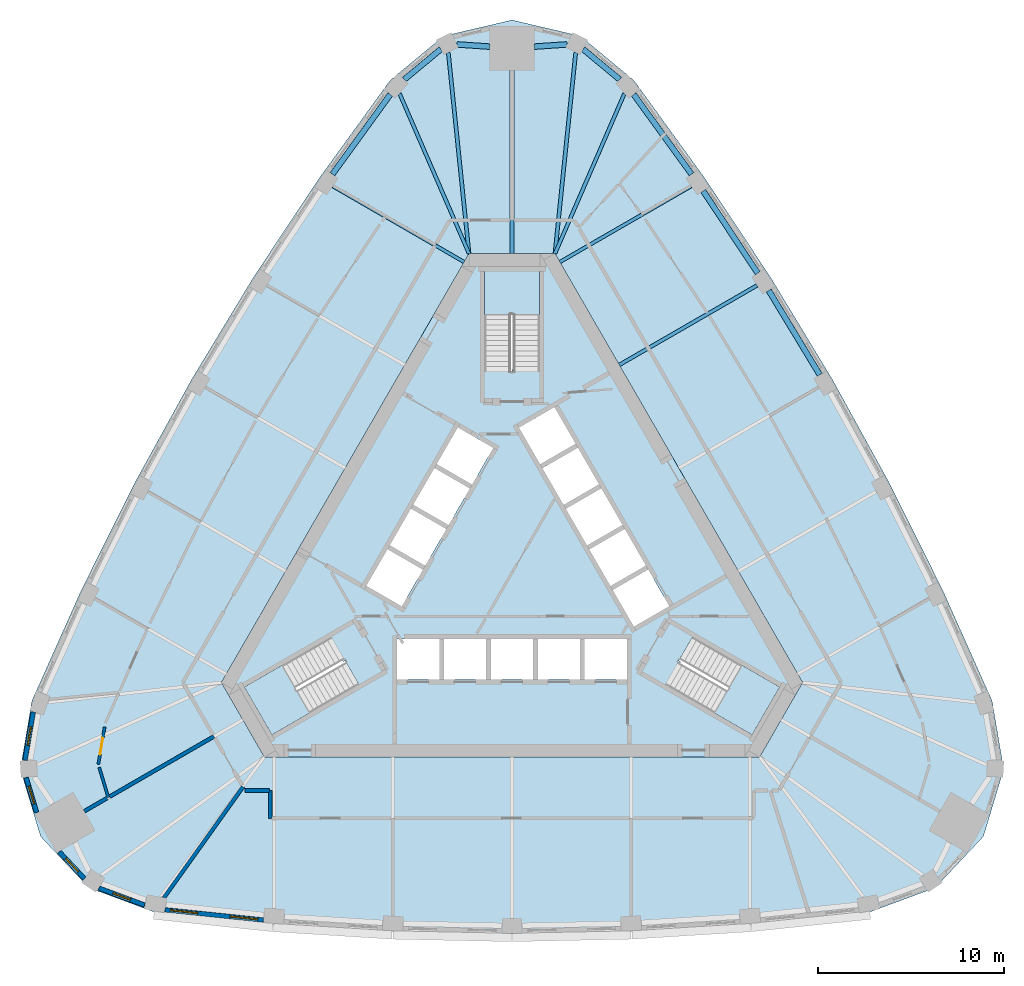
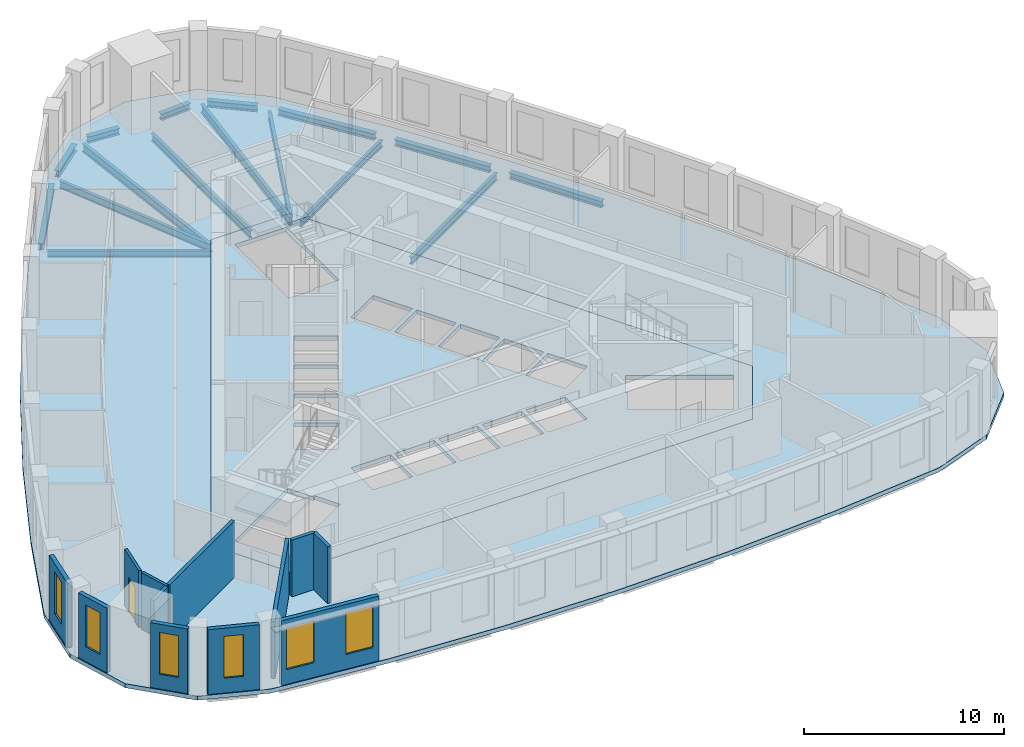
# One storey, part 2 of 11: 16 beams, 12 walls, 6 windows, 5 slabs, 1 door, 7 openings, 3 elements without a shape of their own.
"""IFC4 building model written with IfcOpenShell, lengths in metres."""

from ifc_helpers import new_model, si_unit, direction, frame, frame_2d, origin, origin_2d, place, context, subcontext, project, spatial, polyline, rectangle, i_section, outline, extrude, material, layer, layer_set, material_profile, profile_set, type_object, element, fill, aggregate, save


model = new_model("IFC4")

# Units and contexts
model_context = context("Model", 3, precision=1e-05, world=origin(), true_north=direction((0.0, 1.0)))
body_context = subcontext(model_context, "Body", "Model", "MODEL_VIEW")
ifc_project = project(units=[si_unit("LENGTHUNIT", "METRE"), si_unit("AREAUNIT", "SQUARE_METRE"), si_unit("VOLUMEUNIT", "CUBIC_METRE"), si_unit("PLANEANGLEUNIT", "RADIAN"), si_unit("MASSUNIT", "GRAM", prefix="KILO")], contexts=[model_context])

# Site, building, storey
site_placement = place(None, origin())
site = spatial("IfcSite", under=ifc_project, at=site_placement, CompositionType="ELEMENT")
building_placement = place(site_placement, origin())
building = spatial("IfcBuilding", under=site, at=building_placement, Name="Mestral Congress Tower", CompositionType="ELEMENT")
storey_placement = place(building_placement, frame((0.0, 0.0, 210.0)))
storey = spatial("IfcBuildingStorey", under=building, at=storey_placement, Name="L49", CompositionType="ELEMENT", Elevation=210.0)

# Beams
ifc_material_1 = material(Name="Steel S355", Category="steel")
ifc_material_profile_1 = material_profile(ifc_material_1, i_section(OverallWidth=0.179931640625, OverallDepth=0.39990234375, WebThickness=0.008544921875, FlangeThickness=0.013427734375, FilletRadius=0.02099609375, at=origin_2d()), Name="IPE 400")
ifc_profile_set_1 = profile_set([ifc_material_profile_1], Name="Steel S355")
beam_type_1 = type_object("IfcBeamType", Name="Floor beam IPE 400 S355", PredefinedType="BEAM", material=ifc_profile_set_1)
for number, where, z_axis, x_axis, name in (
    (1, (9.627197265625, 20.321533203125, -0.449951171875), (-0.86601443812, -0.500018992608, 0.0), (0.500018992608, -0.86601443812, 0.0), "BM-L49-RB4-E05"),
    (2, (-9.627197265625, 20.321533203125, -0.449951171875), (0.86601443812, -0.500018992608, 0.0), (0.500018992608, 0.86601443812, 0.0), "BM-L49-RB4-W01"),
):
    element("IfcBeam", number, at=place(storey_placement, frame(where, z_axis=z_axis, x_axis=x_axis)), inside=storey, type_object=beam_type_1, Name=name, PredefinedType="BEAM", context=body_context, shape_type="SweptSolid", body=[
        extrude(i_section(OverallWidth=0.179931640625, OverallDepth=0.39990234375, WebThickness=0.008544921875, FlangeThickness=0.013427734375, FilletRadius=0.02099609375, at=origin_2d()), origin(), (0.0, 0.0, 1.0), 8.148193359375),
    ])
ifc_material_profile_2 = material_profile(ifc_material_1, i_section(OverallWidth=0.18994140625, OverallDepth=0.449951171875, WebThickness=0.009521484375, FlangeThickness=0.0146484375, FilletRadius=0.02099609375, at=origin_2d()), Name="IPE 450")
ifc_profile_set_2 = profile_set([ifc_material_profile_2], Name="Steel S355")
beam_type_2 = type_object("IfcBeamType", Name="Floor beam IPE 450 S355", PredefinedType="BEAM", material=ifc_profile_set_2)
beam_1_placement = place(storey_placement, frame((13.16650390625, 14.98974609375, -0.47509765625), z_axis=(-0.866028621479, -0.499994426748, 0.0), x_axis=(0.499994426748, -0.866028621479, 0.0)))
element("IfcBeam", 3, at=beam_1_placement, inside=storey, type_object=beam_type_2, Name="BM-L49-RB4-E04", PredefinedType="BEAM", context=body_context, shape_type="SweptSolid", body=[
    extrude(i_section(OverallWidth=0.18994140625, OverallDepth=0.449951171875, WebThickness=0.009521484375, FlangeThickness=0.0146484375, FilletRadius=0.02099609375, at=origin_2d()), origin(), (0.0, 0.0, 1.0), 8.54736328125),
])
beam_2_placement = place(storey_placement, frame((6.0419921875, 25.296875, -0.47509765625), z_axis=(-0.398265997009, -0.91726996878, 0.0), x_axis=(0.91726996878, -0.398265997009, 0.0)))
element("IfcBeam", 4, at=beam_2_placement, inside=storey, type_object=beam_type_2, Name="BM-L49-RB4-E06", PredefinedType="BEAM", context=body_context, shape_type="SweptSolid", body=[
    extrude(i_section(OverallWidth=0.18994140625, OverallDepth=0.449951171875, WebThickness=0.009521484375, FlangeThickness=0.0146484375, FilletRadius=0.02099609375, at=origin_2d()), origin(), (0.0, 0.0, 1.0), 9.372314453125),
])
beam_3_placement = place(storey_placement, frame((0.0, 26.54443359375, -0.47509765625), z_axis=(0.0, -1.0, 0.0), x_axis=(1.0, 0.0, 0.0)))
element("IfcBeam", 5, at=beam_3_placement, inside=storey, type_object=beam_type_2, Name="BM-L49-RB4-N", PredefinedType="BEAM", context=body_context, shape_type="SweptSolid", body=[
    extrude(i_section(OverallWidth=0.18994140625, OverallDepth=0.449951171875, WebThickness=0.009521484375, FlangeThickness=0.0146484375, FilletRadius=0.02099609375, at=origin_2d()), origin(), (0.0, 0.0, 1.0), 9.844482421875),
])
beam_4_placement = place(storey_placement, frame((-6.0419921875, 25.296875, -0.47509765625), z_axis=(0.398265997009, -0.91726996878, 0.0), x_axis=(0.91726996878, 0.398265997009, 0.0)))
element("IfcBeam", 6, at=beam_4_placement, inside=storey, type_object=beam_type_2, Name="BM-L49-RB4-W00", PredefinedType="BEAM", context=body_context, shape_type="SweptSolid", body=[
    extrude(i_section(OverallWidth=0.18994140625, OverallDepth=0.449951171875, WebThickness=0.009521484375, FlangeThickness=0.0146484375, FilletRadius=0.02099609375, at=origin_2d()), origin(), (0.0, 0.0, 1.0), 9.372314453125),
])
ifc_material_profile_3 = material_profile(ifc_material_1, i_section(OverallWidth=0.199951171875, OverallDepth=0.5, WebThickness=0.01025390625, FlangeThickness=0.01611328125, FilletRadius=0.02099609375, at=origin_2d()), Name="IPE 500")
ifc_profile_set_3 = profile_set([ifc_material_profile_3], Name="Steel S355")
beam_type_3 = type_object("IfcBeamType", Name="Floor beam IPE 500 S355", PredefinedType="BEAM", material=ifc_profile_set_3)
for number, where, z_axis, x_axis, name in (
    (7, (3.4228515625, 27.5009765625, -0.5), (-0.102550876252, -0.994727760636, 0.0), (0.994727760636, -0.102550876252, 0.0), "BM-L49-RB4-N1"),
    (8, (-3.4228515625, 27.5009765625, -0.5), (0.102550876252, -0.994727760636, 0.0), (0.994727760636, 0.102550876252, 0.0), "BM-L49-RB4-N3"),
):
    element("IfcBeam", number, at=place(storey_placement, frame(where, z_axis=z_axis, x_axis=x_axis)), inside=storey, type_object=beam_type_3, Name=name, PredefinedType="BEAM", context=body_context, shape_type="SweptSolid", body=[
        extrude(i_section(OverallWidth=0.199951171875, OverallDepth=0.5, WebThickness=0.01025390625, FlangeThickness=0.01611328125, FilletRadius=0.02099609375, at=origin_2d()), origin(), (0.0, 0.0, 1.0), 10.858154296875),
    ])
ifc_material_profile_4 = material_profile(ifc_material_1, i_section(OverallWidth=0.300048828125, OverallDepth=0.389892578125, WebThickness=0.010986328125, FlangeThickness=0.01904296875, FilletRadius=0.027099609375, at=origin_2d()), Name="HEA 400")
ifc_profile_set_4 = profile_set([ifc_material_profile_4], Name="Steel S355")
beam_type_4 = type_object("IfcBeamType", Name="Spandrel beam HEA 400 S355", PredefinedType="BEAM", material=ifc_profile_set_4)
for number, where, z_axis, x_axis, name in (
    (9, (16.54248046875, 10.185791015625, -0.445068359375), (-0.517865676042, 0.855461946306, 0.0), (-0.855461946306, -0.517865676042, 0.0), "SP-L49-SB4-E03"),
    (10, (13.209228515625, 15.648193359375, -0.445068359375), (-0.552934106774, 0.833224983762, 0.0), (-0.833224983762, -0.552934106774, 0.0), "SP-L49-SB4-E04"),
):
    element("IfcBeam", number, at=place(storey_placement, frame(where, z_axis=z_axis, x_axis=x_axis)), inside=storey, type_object=beam_type_4, Name=name, PredefinedType="BEAM", context=body_context, shape_type="SweptSolid", body=[
        extrude(i_section(OverallWidth=0.300048828125, OverallDepth=0.389892578125, WebThickness=0.010986328125, FlangeThickness=0.01904296875, FilletRadius=0.027099609375, at=origin_2d()), origin(), (0.0, 0.0, 1.0), 5.29931640625),
    ])
beam_5_placement = place(storey_placement, frame((9.652099609375, 20.967529296875, -0.445068359375), z_axis=(-0.587017415163, 0.809574304369, 0.0), x_axis=(-0.809574304369, -0.587017415163, 0.0)))
element("IfcBeam", 11, at=beam_5_placement, inside=storey, type_object=beam_type_4, Name="SP-L49-SB4-E05", PredefinedType="BEAM", context=body_context, shape_type="SweptSolid", body=[
    extrude(i_section(OverallWidth=0.300048828125, OverallDepth=0.389892578125, WebThickness=0.010986328125, FlangeThickness=0.01904296875, FilletRadius=0.027099609375, at=origin_2d()), origin(), (0.0, 0.0, 1.0), 5.29736328125),
])
beam_6_placement = place(storey_placement, frame((5.789306640625, 26.058837890625, -0.445068359375), z_axis=(-0.769970431757, 0.638079567311, 0.0), x_axis=(-0.638079567311, -0.769970431757, 0.0)))
element("IfcBeam", 12, at=beam_6_placement, inside=storey, type_object=beam_type_4, Name="SP-L49-SB4-E06", PredefinedType="BEAM", context=body_context, shape_type="SweptSolid", body=[
    extrude(i_section(OverallWidth=0.300048828125, OverallDepth=0.389892578125, WebThickness=0.010986328125, FlangeThickness=0.01904296875, FilletRadius=0.027099609375, at=origin_2d()), origin(), (0.0, 0.0, 1.0), 2.547119140625),
])
for number, where, z_axis, x_axis, name in (
    (13, (2.9521484375, 27.94384765625, -0.445068359375), (-0.997724466462, -0.067423208337, 0.0), (0.067423208337, -0.997724466462, 0.0), "SP-L49-SB4-N1"),
    (14, (-1.199951171875, 27.825439453125, -0.445068359375), (-0.997724466462, 0.067423208337, 0.0), (-0.067423208337, -0.997724466462, 0.0), "SP-L49-SB4-N"),
):
    element("IfcBeam", number, at=place(storey_placement, frame(where, z_axis=z_axis, x_axis=x_axis)), inside=storey, type_object=beam_type_4, Name=name, PredefinedType="BEAM", context=body_context, shape_type="SweptSolid", body=[
        extrude(i_section(OverallWidth=0.300048828125, OverallDepth=0.389892578125, WebThickness=0.010986328125, FlangeThickness=0.01904296875, FilletRadius=0.027099609375, at=origin_2d()), origin(), (0.0, 0.0, 1.0), 1.756103515625),
    ])
beam_7_placement = place(storey_placement, frame((-3.828125, 27.68408203125, -0.445068359375), z_axis=(-0.769970431757, -0.638079567311, 0.0), x_axis=(0.638079567311, -0.769970431757, 0.0)))
element("IfcBeam", 15, at=beam_7_placement, inside=storey, type_object=beam_type_4, Name="SP-L49-SB4-N3", PredefinedType="BEAM", context=body_context, shape_type="SweptSolid", body=[
    extrude(i_section(OverallWidth=0.300048828125, OverallDepth=0.389892578125, WebThickness=0.010986328125, FlangeThickness=0.01904296875, FilletRadius=0.027099609375, at=origin_2d()), origin(), (0.0, 0.0, 1.0), 2.547119140625),
])
beam_8_placement = place(storey_placement, frame((-6.54248046875, 25.256103515625, -0.445068359375), z_axis=(-0.587017415163, -0.809574304369, 0.0), x_axis=(0.809574304369, -0.587017415163, 0.0)))
element("IfcBeam", 16, at=beam_8_placement, inside=storey, type_object=beam_type_4, Name="SP-L49-SB4-W00", PredefinedType="BEAM", context=body_context, shape_type="SweptSolid", body=[
    extrude(i_section(OverallWidth=0.300048828125, OverallDepth=0.389892578125, WebThickness=0.010986328125, FlangeThickness=0.01904296875, FilletRadius=0.027099609375, at=origin_2d()), origin(), (0.0, 0.0, 1.0), 5.29736328125),
])

# Slabs
ifc_material_2 = material(Name="Concrete C35/45", Category="concrete")
ifc_layer_1 = layer(ifc_material_2, 0.25)
ifc_layer_set_1 = layer_set([ifc_layer_1], Name="Concrete C35/45")
slab_type_1 = type_object("IfcSlabType", Name="Composite floor slab 250", PredefinedType="FLOOR", material=ifc_layer_set_1)
placement_1 = place(storey_placement, frame((0.0, 0.0, -0.25)))
element("IfcSlab", 17, at=placement_1, inside=storey, type_object=slab_type_1, Name="SL-L49", PredefinedType="FLOOR", context=body_context, shape_type="SweptSolid", body=[
    extrude(outline(polyline([(-19.253662109375, -18.678466796875), (-22.75, -17.381591796875), (-25.3369140625, -14.62841796875), (-26.427978515625, -11.01123046875), (-25.802978515625, -7.334716796875), (-23.16748046875, -1.4306640625), (-20.310302734375, 4.316650390625), (-17.21728515625, 9.9404296875), (-13.8935546875, 15.430908203125), (-10.3447265625, 20.77880859375), (-6.54931640625, 26.013427734375), (-3.677978515625, 28.392822265625), (0.0, 29.256591796875), (3.677978515625, 28.392822265625), (6.54931640625, 26.013427734375), (10.3447265625, 20.77880859375), (13.8935546875, 15.430908203125), (17.21728515625, 9.9404296875), (20.310302734375, 4.316650390625), (23.16748046875, -1.4306640625), (25.802978515625, -7.334716796875), (26.427978515625, -11.01123046875), (25.3369140625, -14.62841796875), (22.75, -17.381591796875), (19.253662109375, -18.678466796875), (12.822509765625, -19.34814453125), (6.416748046875, -19.74755859375), (0.0, -19.880615234375), (-6.416748046875, -19.74755859375), (-12.822509765625, -19.34814453125), (-19.253662109375, -18.678466796875)]), holes=[polyline([(-2.309326171875, 16.699951171875), (-15.6171875, -6.35009765625), (-13.307861328125, -10.35009765625), (13.307861328125, -10.35009765625), (15.6171875, -6.35009765625), (2.309326171875, 16.699951171875), (-2.309326171875, 16.699951171875)])]), origin(), (0.0, 0.0, 1.0), 0.25),
])
ifc_material_3 = material(Name="Concrete C60/75", Category="concrete")
ifc_layer_2 = layer(ifc_material_3, 0.25)
ifc_layer_set_2 = layer_set([ifc_layer_2], Name="Concrete C60/75")
slab_type_2 = type_object("IfcSlabType", Name="Core floor slab RC 250", PredefinedType="FLOOR", material=ifc_layer_set_2)
element("IfcSlab", 18, at=placement_1, inside=storey, type_object=slab_type_2, Name="L49 core floor", PredefinedType="FLOOR", context=body_context, shape_type="SweptSolid", body=[
    extrude(outline(polyline([(13.307861328125, -10.35009765625), (-13.307861328125, -10.35009765625), (-15.6171875, -6.35009765625), (-2.309326171875, 16.699951171875), (2.309326171875, 16.699951171875), (15.6171875, -6.35009765625), (13.307861328125, -10.35009765625)]), holes=[polyline([(-9.8046875, -3.95751953125), (-14.37744140625, -6.59765625), (-12.90234375, -9.15234375), (-8.234619140625, -6.45751953125), (-8.971923828125, -5.179931640625), (-9.0673828125, -5.235107421875), (-9.8046875, -3.95751953125)]), polyline([(-3.905029296875, -4.0), (-6.175048828125, -4.0), (-6.175048828125, -6.199951171875), (-3.905029296875, -6.199951171875), (-3.905029296875, -4.0)]), polyline([(-1.385009765625, -4.0), (-3.655029296875, -4.0), (-3.655029296875, -6.199951171875), (-1.385009765625, -6.199951171875), (-1.385009765625, -4.0)]), polyline([(1.135009765625, -4.0), (-1.135009765625, -4.0), (-1.135009765625, -6.199951171875), (1.135009765625, -6.199951171875), (1.135009765625, -4.0)]), polyline([(-5.921630859375, -2.256591796875), (-4.78662109375, -0.29052734375), (-6.69189453125, 0.809326171875), (-7.826904296875, -1.156494140625), (-5.921630859375, -2.256591796875)]), polyline([(-4.66162109375, -0.07421875), (-3.526611328125, 1.8916015625), (-5.431884765625, 2.99169921875), (-6.56689453125, 1.02587890625), (-4.66162109375, -0.07421875)]), polyline([(-3.401611328125, 2.1083984375), (-2.2666015625, 4.07421875), (-4.171875, 5.174072265625), (-5.306884765625, 3.208251953125), (-3.401611328125, 2.1083984375)]), polyline([(-2.1416015625, 4.29052734375), (-1.006591796875, 6.256591796875), (-2.911865234375, 7.3564453125), (-4.046875, 5.390625), (-2.1416015625, 4.29052734375)]), polyline([(1.47509765625, 10.469970703125), (1.47509765625, 15.75), (-1.47509765625, 15.75), (-1.47509765625, 10.360107421875), (0.0, 10.360107421875), (0.0, 10.469970703125), (1.47509765625, 10.469970703125)]), polyline([(8.329833984375, -6.512451171875), (12.90234375, -9.15234375), (14.37744140625, -6.59765625), (9.70947265625, -3.902587890625), (8.971923828125, -5.179931640625), (9.0673828125, -5.235107421875), (8.329833984375, -6.512451171875)]), polyline([(3.655029296875, -4.0), (1.385009765625, -4.0), (1.385009765625, -6.199951171875), (3.655029296875, -6.199951171875), (3.655029296875, -4.0)]), polyline([(6.175048828125, -4.0), (3.905029296875, -4.0), (3.905029296875, -6.199951171875), (6.175048828125, -6.199951171875), (6.175048828125, -4.0)]), polyline([(5.41650390625, -1.3818359375), (6.551513671875, -3.34765625), (8.456787109375, -2.247802734375), (7.322021484375, -0.28173828125), (5.41650390625, -1.3818359375)]), polyline([(4.156494140625, 0.800537109375), (5.29150390625, -1.165283203125), (7.197021484375, -0.065185546875), (6.06201171875, 1.900634765625), (4.156494140625, 0.800537109375)]), polyline([(2.896484375, 2.98291015625), (4.031494140625, 1.01708984375), (5.93701171875, 2.1171875), (4.802001953125, 4.0830078125), (2.896484375, 2.98291015625)]), polyline([(3.5419921875, 6.265380859375), (1.63671875, 5.165283203125), (2.771484375, 3.199462890625), (4.677001953125, 4.29931640625), (3.5419921875, 6.265380859375)]), polyline([(2.281982421875, 8.44775390625), (0.376708984375, 7.34765625), (1.51171875, 5.3818359375), (3.4169921875, 6.481689453125), (2.281982421875, 8.44775390625)])]), origin(), (0.0, 0.0, 1.0), 0.25),
])

# Stair, slab
stair_type = type_object("IfcStairType", Name="Exit stair 1400", PredefinedType="HALF_TURN_STAIR", material=ifc_material_3)
placement_2 = place(storey_placement, origin())
stair_1 = element("IfcStair", 19, at=placement_2, inside=storey, type_object=stair_type, Name="L49 ST1", PredefinedType="HALF_TURN_STAIR")
ifc_layer_3 = layer(ifc_material_3, 0.199951171875)
ifc_layer_set_3 = layer_set([ifc_layer_3], Name="Concrete C60/75")
slab_type_3 = type_object("IfcSlabType", Name="Exit stair landing 200", PredefinedType="LANDING", material=ifc_layer_set_3)
placement_3 = place(storey_placement, frame((0.0, 0.0, 1.89990234375)))
slab_3 = element("IfcSlab", 20, at=placement_3, type_object=slab_type_3, Name="ST1 landing 1", PredefinedType="LANDING", context=body_context, shape_type="SweptSolid", body=[
    extrude(outline(polyline([(10.879638671875, -7.99609375), (12.364501953125, -5.424072265625), (14.39111328125, -6.593994140625), (12.906005859375, -9.166015625), (10.879638671875, -7.99609375)])), origin(), (0.0, 0.0, 1.0), 0.2001953125),
])
aggregate(stair_1, [slab_3])

stair_2 = element("IfcStair", 21, at=placement_2, inside=storey, type_object=stair_type, Name="L49 ST2", PredefinedType="HALF_TURN_STAIR")
slab_4 = element("IfcSlab", 22, at=placement_3, type_object=slab_type_3, Name="ST2 landing 1", PredefinedType="LANDING", context=body_context, shape_type="SweptSolid", body=[
    extrude(outline(polyline([(1.485107421875, 13.419921875), (-1.485107421875, 13.419921875), (-1.485107421875, 15.760009765625), (1.485107421875, 15.760009765625), (1.485107421875, 13.419921875)])), origin(), (0.0, 0.0, 1.0), 0.2001953125),
])
aggregate(stair_2, [slab_4])

stair_3 = element("IfcStair", 23, at=placement_2, inside=storey, type_object=stair_type, Name="L49 ST3", PredefinedType="HALF_TURN_STAIR")
slab_5 = element("IfcSlab", 24, at=placement_3, type_object=slab_type_3, Name="ST3 landing 1", PredefinedType="LANDING", context=body_context, shape_type="SweptSolid", body=[
    extrude(outline(polyline([(-12.364501953125, -5.424072265625), (-10.879638671875, -7.99609375), (-12.906005859375, -9.166015625), (-14.39111328125, -6.593994140625), (-12.364501953125, -5.424072265625)])), origin(), (0.0, 0.0, 1.0), 0.2001953125),
])
aggregate(stair_3, [slab_5])

# Wall, openings, windows
ifc_material_4 = material(Name="Precast concrete C40/50 with limestone facing", Category="masonry")
ifc_layer_4 = layer(ifc_material_4, 0.239990234375)
ifc_layer_set_4 = layer_set([ifc_layer_4], Name="Precast concrete C40/50 with limestone facing")
wall_type_1 = type_object("IfcWallType", Name="Facade stone wall 240", PredefinedType="SOLIDWALL", material=ifc_layer_set_4)
wall_1_placement = place(storey_placement, frame((-18.644287109375, -18.571044921875, 0.0), z_axis=(0.0, 0.0, 1.0), x_axis=(0.994621961215, -0.103571976272, 0.0)))
wall_1 = element("IfcWall", 25, at=wall_1_placement, inside=storey, type_object=wall_type_1, Name="Facade wall F0-00", PredefinedType="SOLIDWALL", context=body_context, shape_type="SweptSolid", body=[
    extrude(rectangle(XDim=5.310791015625, YDim=0.239990234375, at=frame_2d((2.6552734375, 0.0))), origin(), (0.0, 0.0, 1.0), 3.949951171875),
])
opening_1_placement = place(wall_1_placement, frame((0.271484375, 0.0, 0.89990234375)))
opening_1 = element("IfcOpeningElement", 26, at=opening_1_placement, cuts=wall_1, Name="Opening W4", PredefinedType="OPENING", context=body_context, shape_type="SweptSolid", body=[
    extrude(rectangle(XDim=1.5, YDim=2.550048828125, at=frame_2d((0.75, 1.27490234375))), frame((0.0, 0.1298828125, 0.0), z_axis=(0.0, -1.0, 0.0), x_axis=(1.0, 0.0, 0.0)), (0.0, 0.0, 1.0), 0.260009765625),
])
opening_2_placement = place(wall_1_placement, frame((3.50439453125, 0.0, 0.89990234375)))
opening_2 = element("IfcOpeningElement", 27, at=opening_2_placement, cuts=wall_1, Name="Opening W4", PredefinedType="OPENING", context=body_context, shape_type="SweptSolid", body=[
    extrude(rectangle(XDim=1.5, YDim=2.550048828125, at=frame_2d((0.75, 1.27490234375))), frame((0.0, 0.1298828125, 0.0), z_axis=(0.0, -1.0, 0.0), x_axis=(1.0, 0.0, 0.0)), (0.0, 0.0, 1.0), 0.260009765625),
])
ifc_material_5 = material(Name="Clear low-emissivity double glazing", Category="glass")
window_type_1 = type_object("IfcWindowType", Name="Facade punched window 1500 x 2550 sill 900", PartitioningType="SINGLE_PANEL", PredefinedType="WINDOW", material=ifc_material_5)
window_1_placement = place(opening_1_placement, origin())
window_1 = element("IfcWindow", 28, at=window_1_placement, inside=storey, type_object=window_type_1, Name="Window F0-00a", OverallHeight=2.550048828125, OverallWidth=1.5, PartitioningType="SINGLE_PANEL", PredefinedType="WINDOW", context=body_context, shape_type="SweptSolid", body=[
    extrude(rectangle(XDim=1.5, YDim=2.550048828125, at=frame_2d((0.75, 1.27490234375))), frame((0.0, 0.0400390625, 0.0), z_axis=(0.0, -1.0, 0.0), x_axis=(1.0, 0.0, 0.0)), (0.0, 0.0, 1.0), 0.06005859375),
])
fill(opening_1, window_1)
window_2_placement = place(opening_2_placement, origin())
window_2 = element("IfcWindow", 29, at=window_2_placement, inside=storey, type_object=window_type_1, Name="Window F0-00b", OverallHeight=2.550048828125, OverallWidth=1.5, PartitioningType="SINGLE_PANEL", PredefinedType="WINDOW", context=body_context, shape_type="SweptSolid", body=[
    extrude(rectangle(XDim=1.5, YDim=2.550048828125, at=frame_2d((0.75, 1.27490234375))), frame((0.0, 0.0400390625, 0.0), z_axis=(0.0, -1.0, 0.0), x_axis=(1.0, 0.0, 0.0)), (0.0, 0.0, 1.0), 0.06005859375),
])
fill(opening_2, window_2)

# Wall, opening, window
wall_2_placement = place(storey_placement, frame((-25.734130859375, -7.94482421875, 0.0), z_axis=(0.0, 0.0, 1.0), x_axis=(-0.167660055546, -0.985844869021, 0.0)))
wall_2 = element("IfcWall", 30, at=wall_2_placement, inside=storey, type_object=wall_type_1, Name="Facade wall K2-0", PredefinedType="SOLIDWALL", context=body_context, shape_type="SweptSolid", body=[
    extrude(rectangle(XDim=2.609375, YDim=0.239990234375, at=frame_2d((1.3046875, 0.0))), origin(), (0.0, 0.0, 1.0), 3.949951171875),
])
opening_3_placement = place(wall_2_placement, frame((0.8046875, 0.0, 0.89990234375)))
opening_3 = element("IfcOpeningElement", 31, at=opening_3_placement, cuts=wall_2, Name="Opening W5", PredefinedType="OPENING", context=body_context, shape_type="SweptSolid", body=[
    extrude(rectangle(XDim=1.0, YDim=2.550048828125, at=frame_2d((0.5, 1.27490234375))), frame((0.0, 0.1298828125, 0.0), z_axis=(0.0, -1.0, 0.0), x_axis=(1.0, 0.0, 0.0)), (0.0, 0.0, 1.0), 0.260009765625),
])
window_type_2 = type_object("IfcWindowType", Name="Facade punched window 1000 x 2550 sill 900", PartitioningType="SINGLE_PANEL", PredefinedType="WINDOW", material=ifc_material_5)
window_3_placement = place(opening_3_placement, origin())
window_3 = element("IfcWindow", 32, at=window_3_placement, inside=storey, type_object=window_type_2, Name="Window K2-0", OverallHeight=2.550048828125, OverallWidth=1.0, PartitioningType="SINGLE_PANEL", PredefinedType="WINDOW", context=body_context, shape_type="SweptSolid", body=[
    extrude(rectangle(XDim=1.0, YDim=2.550048828125, at=frame_2d((0.5, 1.27490234375))), frame((0.0, 0.0400390625, 0.0), z_axis=(0.0, -1.0, 0.0), x_axis=(1.0, 0.0, 0.0)), (0.0, 0.0, 1.0), 0.06005859375),
])
fill(opening_3, window_3)

wall_3_placement = place(storey_placement, frame((-26.1123046875, -11.469482421875, 0.0), z_axis=(0.0, 0.0, 1.0), x_axis=(0.288727209095, -0.957411405159, 0.0)))
wall_3 = element("IfcWall", 33, at=wall_3_placement, inside=storey, type_object=wall_type_1, Name="Facade wall K2-1", PredefinedType="SOLIDWALL", context=body_context, shape_type="SweptSolid", body=[
    extrude(rectangle(XDim=1.9482421875, YDim=0.239990234375, at=frame_2d((0.97412109375, 0.0))), origin(), (0.0, 0.0, 1.0), 3.949951171875),
])
opening_4_placement = place(wall_3_placement, frame((0.47412109375, 0.0, 0.89990234375)))
opening_4 = element("IfcOpeningElement", 34, at=opening_4_placement, cuts=wall_3, Name="Opening W5", PredefinedType="OPENING", context=body_context, shape_type="SweptSolid", body=[
    extrude(rectangle(XDim=1.0, YDim=2.550048828125, at=frame_2d((0.5, 1.27490234375))), frame((0.0, 0.1298828125, 0.0), z_axis=(0.0, -1.0, 0.0), x_axis=(1.0, 0.0, 0.0)), (0.0, 0.0, 1.0), 0.260009765625),
])
window_4_placement = place(opening_4_placement, origin())
window_4 = element("IfcWindow", 35, at=window_4_placement, inside=storey, type_object=window_type_2, Name="Window K2-1", OverallHeight=2.550048828125, OverallWidth=1.0, PartitioningType="SINGLE_PANEL", PredefinedType="WINDOW", context=body_context, shape_type="SweptSolid", body=[
    extrude(rectangle(XDim=1.0, YDim=2.550048828125, at=frame_2d((0.5, 1.27490234375))), frame((0.0, 0.0400390625, 0.0), z_axis=(0.0, -1.0, 0.0), x_axis=(1.0, 0.0, 0.0)), (0.0, 0.0, 1.0), 0.06005859375),
])
fill(opening_4, window_4)

wall_4_placement = place(storey_placement, frame((-24.322998046875, -15.459228515625, 0.0), z_axis=(0.0, 0.0, 1.0), x_axis=(0.684770274166, -0.728758994194, 0.0)))
wall_4 = element("IfcWall", 36, at=wall_4_placement, inside=storey, type_object=wall_type_1, Name="Facade wall K2-2", PredefinedType="SOLIDWALL", context=body_context, shape_type="SweptSolid", body=[
    extrude(rectangle(XDim=1.947998046875, YDim=0.239990234375, at=frame_2d((0.97412109375, 0.0))), origin(), (0.0, 0.0, 1.0), 3.949951171875),
])
opening_5_placement = place(wall_4_placement, frame((0.47412109375, 0.0, 0.89990234375)))
opening_5 = element("IfcOpeningElement", 37, at=opening_5_placement, cuts=wall_4, Name="Opening W5", PredefinedType="OPENING", context=body_context, shape_type="SweptSolid", body=[
    extrude(rectangle(XDim=1.0, YDim=2.550048828125, at=frame_2d((0.5, 1.27490234375))), frame((0.0, 0.1298828125, 0.0), z_axis=(0.0, -1.0, 0.0), x_axis=(1.0, 0.0, 0.0)), (0.0, 0.0, 1.0), 0.260009765625),
])
window_5_placement = place(opening_5_placement, origin())
window_5 = element("IfcWindow", 38, at=window_5_placement, inside=storey, type_object=window_type_2, Name="Window K2-2", OverallHeight=2.550048828125, OverallWidth=1.0, PartitioningType="SINGLE_PANEL", PredefinedType="WINDOW", context=body_context, shape_type="SweptSolid", body=[
    extrude(rectangle(XDim=1.0, YDim=2.550048828125, at=frame_2d((0.5, 1.27490234375))), frame((0.0, 0.0400390625, 0.0), z_axis=(0.0, -1.0, 0.0), x_axis=(1.0, 0.0, 0.0)), (0.0, 0.0, 1.0), 0.06005859375),
])
fill(opening_5, window_5)

wall_5_placement = place(storey_placement, frame((-22.194091796875, -17.406494140625, 0.0), z_axis=(0.0, 0.0, 1.0), x_axis=(0.937569171184, -0.347798863203, 0.0)))
wall_5 = element("IfcWall", 39, at=wall_5_placement, inside=storey, type_object=wall_type_1, Name="Facade wall K2-3", PredefinedType="SOLIDWALL", context=body_context, shape_type="SweptSolid", body=[
    extrude(rectangle(XDim=2.609130859375, YDim=0.239990234375, at=frame_2d((1.3046875, 0.0))), origin(), (0.0, 0.0, 1.0), 3.949951171875),
])
opening_6_placement = place(wall_5_placement, frame((0.8046875, 0.0, 0.89990234375)))
opening_6 = element("IfcOpeningElement", 40, at=opening_6_placement, cuts=wall_5, Name="Opening W5", PredefinedType="OPENING", context=body_context, shape_type="SweptSolid", body=[
    extrude(rectangle(XDim=1.0, YDim=2.550048828125, at=frame_2d((0.5, 1.27490234375))), frame((0.0, 0.1298828125, 0.0), z_axis=(0.0, -1.0, 0.0), x_axis=(1.0, 0.0, 0.0)), (0.0, 0.0, 1.0), 0.260009765625),
])
window_6_placement = place(opening_6_placement, origin())
window_6 = element("IfcWindow", 41, at=window_6_placement, inside=storey, type_object=window_type_2, Name="Window K2-3", OverallHeight=2.550048828125, OverallWidth=1.0, PartitioningType="SINGLE_PANEL", PredefinedType="WINDOW", context=body_context, shape_type="SweptSolid", body=[
    extrude(rectangle(XDim=1.0, YDim=2.550048828125, at=frame_2d((0.5, 1.27490234375))), frame((0.0, 0.0400390625, 0.0), z_axis=(0.0, -1.0, 0.0), x_axis=(1.0, 0.0, 0.0)), (0.0, 0.0, 1.0), 0.06005859375),
])
fill(opening_6, window_6)

# Wall, opening, door
ifc_material_6 = material(Name="Plasterboard partition on steel studs", Category="steel")
ifc_layer_5 = layer(ifc_material_6, 0.14990234375)
ifc_layer_set_5 = layer_set([ifc_layer_5], Name="Plasterboard partition on steel studs")
wall_type_2 = type_object("IfcWallType", Name="Office partition 150", PredefinedType="PARTITIONING", material=ifc_layer_set_5)
wall_6_placement = place(storey_placement, frame((-22.23486328125, -10.75, 0.0), z_axis=(0.0, 0.0, 1.0), x_axis=(0.167623442148, 0.985851095066, 0.0)))
wall_6 = element("IfcWall", 42, at=wall_6_placement, inside=storey, type_object=wall_type_2, Name="Partition", PredefinedType="PARTITIONING", context=body_context, shape_type="SweptSolid", body=[
    extrude(rectangle(XDim=2.03759765625, YDim=0.14990234375, at=frame_2d((1.018798828125, 0.0))), origin(), (0.0, 0.0, 1.0), 3.449951171875),
])
opening_7_placement = place(wall_6_placement, frame((0.53759765625, 0.0, 0.0)))
opening_7 = element("IfcOpeningElement", 43, at=opening_7_placement, cuts=wall_6, Name="Opening O06-017", PredefinedType="OPENING", context=body_context, shape_type="SweptSolid", body=[
    extrude(rectangle(XDim=0.89990234375, YDim=2.10009765625, at=frame_2d((0.449951171875, 1.050048828125))), frame((0.0, 0.0849609375, 0.0), z_axis=(0.0, -1.0, 0.0), x_axis=(1.0, 0.0, 0.0)), (0.0, 0.0, 1.0), 0.169921875),
])
ifc_material_7 = material(Name="Timber door set", Category="wood")
door_type = type_object("IfcDoorType", Name="Office door 900x2100", OperationType="SINGLE_SWING_LEFT", PredefinedType="DOOR", material=ifc_material_7)
door_placement = place(opening_7_placement, origin())
door = element("IfcDoor", 44, at=door_placement, inside=storey, type_object=door_type, Name="Door O06-017", OperationType="SINGLE_SWING_LEFT", OverallHeight=2.10009765625, OverallWidth=0.89990234375, PredefinedType="DOOR", context=body_context, shape_type="SweptSolid", body=[
    extrude(rectangle(XDim=0.89990234375, YDim=2.10009765625, at=frame_2d((0.449951171875, 1.050048828125))), frame((0.0, 0.02490234375, 0.0), z_axis=(0.0, -1.0, 0.0), x_axis=(1.0, 0.0, 0.0)), (0.0, 0.0, 1.0), 0.050048828125),
])
fill(opening_7, door)

# Walls
wall_7_placement = place(storey_placement, frame((-22.186279296875, -10.9111328125, 0.0), z_axis=(0.0, 0.0, 1.0), x_axis=(0.288899576463, -0.957359407286, 0.0)))
element("IfcWall", 45, at=wall_7_placement, inside=storey, type_object=wall_type_2, Name="Partition", PredefinedType="PARTITIONING", context=body_context, shape_type="SweptSolid", body=[
    extrude(rectangle(XDim=1.6884765625, YDim=0.14990234375, at=frame_2d((0.84423828125, 0.0))), origin(), (0.0, 0.0, 1.0), 3.449951171875),
])
ifc_material_8 = material(Name="Dense masonry wall, plastered", Category="masonry")
ifc_layer_6 = layer(ifc_material_8, 0.199951171875)
ifc_layer_set_6 = layer_set([ifc_layer_6], Name="Dense masonry wall, plastered")
wall_type_3 = type_object("IfcWallType", Name="Office tenancy wall 200", PredefinedType="PARTITIONING", material=ifc_layer_set_6)
wall_8_placement = place(storey_placement, frame((-18.708984375, -17.915771484375, 0.0), z_axis=(0.0, 0.0, 1.0), x_axis=(0.581023578026, 0.813886725397, 0.0)))
element("IfcWall", 46, at=wall_8_placement, inside=storey, type_object=wall_type_3, Name="Tenancy wall", PredefinedType="PARTITIONING", context=body_context, shape_type="SweptSolid", body=[
    extrude(rectangle(XDim=7.318115234375, YDim=0.199951171875, at=frame_2d((3.6591796875, 0.0))), origin(), (0.0, 0.0, 1.0), 3.449951171875),
])
wall_9_placement = place(storey_placement, frame((-13.0, -12.14990234375, 0.0), z_axis=(0.0, 0.0, 1.0), x_axis=(0.0, -1.0, 0.0)))
element("IfcWall", 47, at=wall_9_placement, inside=storey, type_object=wall_type_3, Name="Tenancy wall", PredefinedType="PARTITIONING", context=body_context, shape_type="SweptSolid", body=[
    extrude(rectangle(XDim=1.5, YDim=0.199951171875, at=frame_2d((0.75, 0.0))), origin(), (0.0, 0.0, 1.0), 3.449951171875),
])
wall_10_placement = place(storey_placement, frame((-14.34716796875, -12.14990234375, 0.0), z_axis=(0.0, 0.0, 1.0), x_axis=(1.0, 0.0, 0.0)))
element("IfcWall", 48, at=wall_10_placement, inside=storey, type_object=wall_type_3, Name="Tenancy wall", PredefinedType="PARTITIONING", context=body_context, shape_type="SweptSolid", body=[
    extrude(rectangle(XDim=1.317138671875, YDim=0.199951171875, at=frame_2d((0.65869140625, 0.0))), origin(), (0.0, 0.0, 1.0), 3.449951171875),
])
wall_11_placement = place(storey_placement, frame((-21.765380859375, -12.566162109375, 0.0), z_axis=(0.0, 0.0, 1.0), x_axis=(-0.866021473228, -0.500006807861, 0.0)))
element("IfcWall", 49, at=wall_11_placement, inside=storey, type_object=wall_type_3, Name="Tenancy wall", PredefinedType="PARTITIONING", context=body_context, shape_type="SweptSolid", body=[
    extrude(rectangle(XDim=1.412109375, YDim=0.199951171875, at=frame_2d((0.7060546875, 0.0))), origin(), (0.0, 0.0, 1.0), 3.449951171875),
])
wall_12_placement = place(storey_placement, frame((-16.021484375, -9.25, 0.0), z_axis=(0.0, 0.0, 1.0), x_axis=(-0.86601739438, -0.500013872438, 0.0)))
element("IfcWall", 50, at=wall_12_placement, inside=storey, type_object=wall_type_3, Name="Tenancy wall", PredefinedType="PARTITIONING", context=body_context, shape_type="SweptSolid", body=[
    extrude(rectangle(XDim=6.478271484375, YDim=0.199951171875, at=frame_2d((3.2392578125, 0.0))), origin(), (0.0, 0.0, 1.0), 3.449951171875),
])

save(model, "model.ifc")
